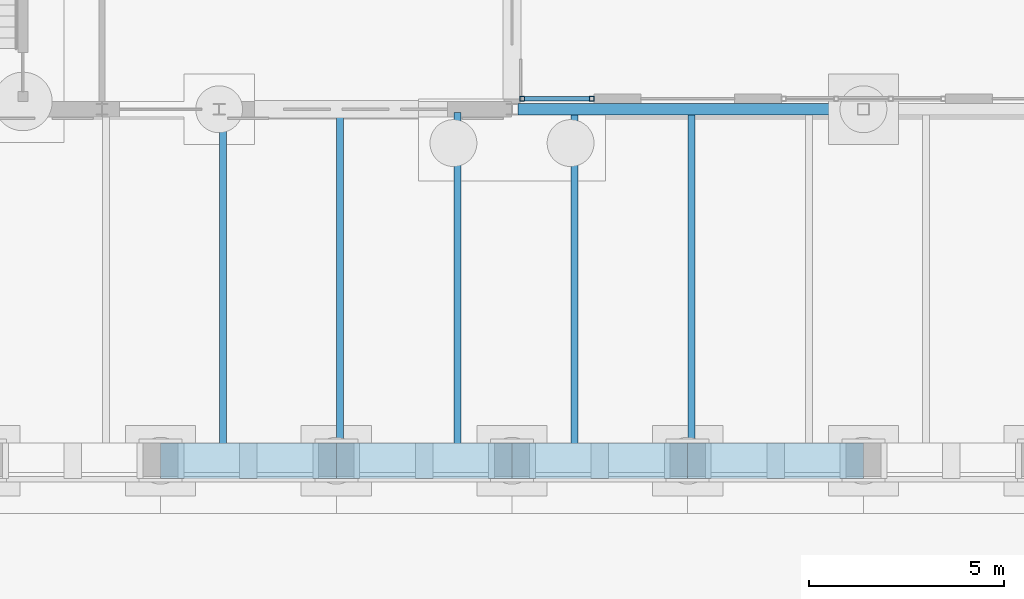
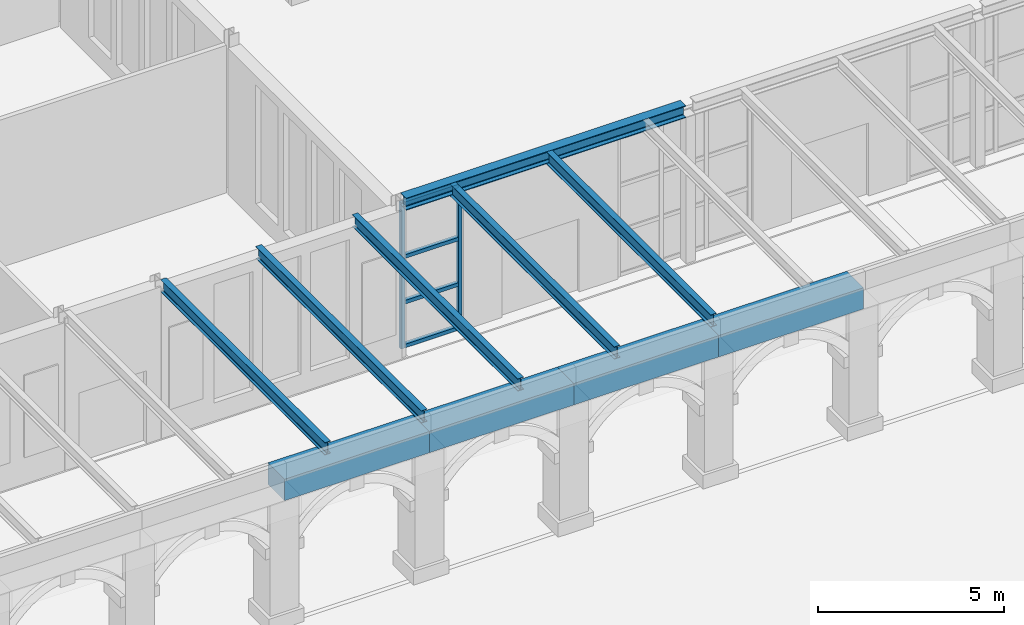
# One storey, part 41 of 168: 10 beams, 6 members, 1 element without a shape of its own.
"""IFC4 building model written with IfcOpenShell, lengths in metres."""

from ifc_helpers import new_model, si_unit, direction, frame, origin, origin_2d, place, context, subcontext, project, spatial, rectangle, hollow_rectangle, i_section, extrude, material, material_profile, profile_set, type_object, element, aggregate, save


model = new_model("IFC4")

# Units and contexts
model_context = context("Model", 3, precision=1e-05, world=origin(), true_north=direction((0.0, 1.0)))
body_context = subcontext(model_context, "Body", "Model", "MODEL_VIEW")
ifc_project = project(units=[si_unit("LENGTHUNIT", "METRE"), si_unit("AREAUNIT", "SQUARE_METRE"), si_unit("VOLUMEUNIT", "CUBIC_METRE"), si_unit("PLANEANGLEUNIT", "RADIAN"), si_unit("MASSUNIT", "GRAM", prefix="KILO")], contexts=[model_context])

# Site, building, storey
site_placement = place(None, origin())
site = spatial("IfcSite", under=ifc_project, at=site_placement, CompositionType="ELEMENT")
building_placement = place(site_placement, origin())
building = spatial("IfcBuilding", under=site, at=building_placement, Name="Golden Quay Civic Hall", CompositionType="ELEMENT")
storey_placement = place(building_placement, origin())
storey = spatial("IfcBuildingStorey", under=building, at=storey_placement, Name="L00", CompositionType="ELEMENT", Elevation=0.0)

# Beams
ifc_material_1 = material(Name="Concrete C40/50", Category="concrete")
ifc_material_profile_1 = material_profile(ifc_material_1, rectangle(XDim=0.89990234375, YDim=0.699951171875, at=origin_2d()), Name="RC 900x700")
ifc_profile_set_1 = profile_set([ifc_material_profile_1], Name="Concrete C40/50")
beam_type_1 = type_object("IfcBeamType", Name="Concrete spandrel beam RC 900x700", PredefinedType="SPANDREL", material=ifc_profile_set_1)
for number, where, z_axis, x_axis, name in (
    (1, (63.0, -9.0, 4.449951171875), (1.0, 0.0, 0.0), (0.0, 1.0, 0.0), "Spandrel beam outer bay 11"),
    (2, (67.5, -9.0, 4.449951171875), (1.0, 0.0, 0.0), (0.0, 1.0, 0.0), "Spandrel beam outer bay 12"),
    (3, (72.0, -9.0, 4.449951171875), (1.0, 0.0, 0.0), (0.0, 1.0, 0.0), "Spandrel beam outer bay 13"),
    (4, (76.5, -9.0, 4.449951171875), (1.0, 0.0, 0.0), (0.0, 1.0, 0.0), "Spandrel beam outer bay 14"),
):
    element("IfcBeam", number, at=place(storey_placement, frame(where, z_axis=z_axis, x_axis=x_axis)), inside=storey, type_object=beam_type_1, Name=name, PredefinedType="SPANDREL", context=body_context, shape_type="SweptSolid", body=[
        extrude(rectangle(XDim=0.89990234375, YDim=0.699951171875, at=origin_2d()), origin(), (0.0, 0.0, 1.0), 4.5),
    ])
ifc_material_2 = material(Name="Steel S355", Category="steel")
ifc_material_profile_2 = material_profile(ifc_material_2, i_section(OverallWidth=0.300048828125, OverallDepth=0.39990234375, WebThickness=0.013427734375, FlangeThickness=0.02392578125, FilletRadius=0.027099609375, at=origin_2d()), Name="HEB 400")
ifc_profile_set_2 = profile_set([ifc_material_profile_2], Name="Steel S355")
beam_type_2 = type_object("IfcBeamType", Name="Steel girder HEB 400", PredefinedType="BEAM", material=ifc_profile_set_2)
beam_1_placement = place(storey_placement, frame((72.14990234375, 0.0, 5.0), z_axis=(1.0, 0.0, 0.0), x_axis=(0.0, 1.0, 0.0)))
element("IfcBeam", 5, at=beam_1_placement, inside=storey, type_object=beam_type_2, Name="Entrance girder 1", PredefinedType="BEAM", context=body_context, shape_type="SweptSolid", body=[
    extrude(i_section(OverallWidth=0.300048828125, OverallDepth=0.39990234375, WebThickness=0.013427734375, FlangeThickness=0.02392578125, FilletRadius=0.027099609375, at=origin_2d()), origin(), (0.0, 0.0, 1.0), 8.7001953125),
])

# Curtain wall, members
ifc_material_3 = material(Name="Glass and aluminium", Category="aluminium")
curtain_wall_type = type_object("IfcCurtainWallType", Name="Glazed curtain wall 1500 module", PredefinedType="NOTDEFINED", material=ifc_material_3)
curtain_wall_placement = place(storey_placement, origin())
curtain_wall = element("IfcCurtainWall", 6, at=curtain_wall_placement, inside=storey, type_object=curtain_wall_type, Name="CW1 curtain wall", PredefinedType="NOTDEFINED")
ifc_material_4 = material(Name="Steel S355", Category="steel")
ifc_material_profile_3 = material_profile(ifc_material_4, hollow_rectangle(XDim=0.1201171875, YDim=0.1201171875, WallThickness=0.008056640625, at=origin_2d()), Name="SHS 120x120x8")
ifc_profile_set_3 = profile_set([ifc_material_profile_3], Name="Steel S355")
member_type_1 = type_object("IfcMemberType", Name="Steel mullion SHS 120x120x8", PredefinedType="MULLION", material=ifc_profile_set_3)
member_1_placement = place(storey_placement, frame((72.260009765625, 0.27001953125, 0.0), z_axis=(0.0, 0.0, 1.0), x_axis=(0.0, 1.0, 0.0)))
member_1 = element("IfcMember", 7, at=member_1_placement, type_object=member_type_1, Name="CW1 mullion 1", PredefinedType="MULLION", context=body_context, shape_type="SweptSolid", body=[
    extrude(hollow_rectangle(XDim=0.1201171875, YDim=0.1201171875, WallThickness=0.008056640625, at=origin_2d()), origin(), (0.0, 0.0, 1.0), 4.800048828125),
])
member_2_placement = place(storey_placement, frame((74.0400390625, 0.27001953125, 0.0), z_axis=(0.0, 0.0, 1.0), x_axis=(0.0, 1.0, 0.0)))
member_2 = element("IfcMember", 8, at=member_2_placement, type_object=member_type_1, Name="CW1 mullion 2", PredefinedType="MULLION", context=body_context, shape_type="SweptSolid", body=[
    extrude(hollow_rectangle(XDim=0.1201171875, YDim=0.1201171875, WallThickness=0.008056640625, at=origin_2d()), origin(), (0.0, 0.0, 1.0), 4.800048828125),
])

# Beams
ifc_material_5 = material(Name="Steel S355", Category="steel")
ifc_material_profile_4 = material_profile(ifc_material_5, i_section(OverallWidth=0.179931640625, OverallDepth=0.39990234375, WebThickness=0.008544921875, FlangeThickness=0.013427734375, FilletRadius=0.02099609375, at=origin_2d()), Name="IPE 400")
ifc_profile_set_4 = profile_set([ifc_material_profile_4], Name="Steel S355")
beam_type_3 = type_object("IfcBeamType", Name="Steel terrace beam IPE 400", PredefinedType="JOIST", material=ifc_profile_set_4)
beam_2_placement = place(storey_placement, frame((64.60009765625, -9.0, 5.0), z_axis=(0.0, 1.0, 0.0), x_axis=(-1.0, 0.0, 0.0)))
element("IfcBeam", 9, at=beam_2_placement, inside=storey, type_object=beam_type_3, Name="Terrace beam 15", PredefinedType="JOIST", context=body_context, shape_type="SweptSolid", body=[
    extrude(i_section(OverallWidth=0.179931640625, OverallDepth=0.39990234375, WebThickness=0.008544921875, FlangeThickness=0.013427734375, FilletRadius=0.02099609375, at=origin_2d()), origin(), (0.0, 0.0, 1.0), 8.85009765625),
])
for number, where, z_axis, x_axis, name in (
    (10, (67.60009765625, -9.0, 5.0), (0.0, 1.0, 0.0), (-1.0, 0.0, 0.0), "Terrace beam 16"),
    (11, (70.60009765625, -9.0, 5.0), (0.0, 1.0, 0.0), (-1.0, 0.0, 0.0), "Terrace beam 17"),
):
    element("IfcBeam", number, at=place(storey_placement, frame(where, z_axis=z_axis, x_axis=x_axis)), inside=storey, type_object=beam_type_3, Name=name, PredefinedType="JOIST", context=body_context, shape_type="SweptSolid", body=[
        extrude(i_section(OverallWidth=0.179931640625, OverallDepth=0.39990234375, WebThickness=0.008544921875, FlangeThickness=0.013427734375, FilletRadius=0.02099609375, at=origin_2d()), origin(), (0.0, 0.0, 1.0), 8.919921875),
    ])
for number, where, z_axis, x_axis, name in (
    (12, (73.60009765625, -9.0, 5.0), (0.0, 1.0, 0.0), (-1.0, 0.0, 0.0), "Terrace beam 18"),
    (13, (76.60009765625, -9.0, 5.0), (0.0, 1.0, 0.0), (-1.0, 0.0, 0.0), "Terrace beam 19"),
):
    element("IfcBeam", number, at=place(storey_placement, frame(where, z_axis=z_axis, x_axis=x_axis)), inside=storey, type_object=beam_type_3, Name=name, PredefinedType="JOIST", context=body_context, shape_type="SweptSolid", body=[
        extrude(i_section(OverallWidth=0.179931640625, OverallDepth=0.39990234375, WebThickness=0.008544921875, FlangeThickness=0.013427734375, FilletRadius=0.02099609375, at=origin_2d()), origin(), (0.0, 0.0, 1.0), 8.85009765625),
    ])

# Member
ifc_material_6 = material(Name="Steel S355", Category="steel")
ifc_material_profile_5 = material_profile(ifc_material_6, hollow_rectangle(XDim=0.1201171875, YDim=0.1201171875, WallThickness=0.008056640625, at=origin_2d()), Name="SHS 120x120x8")
ifc_profile_set_5 = profile_set([ifc_material_profile_5], Name="Steel S355")
member_type_2 = type_object("IfcMemberType", Name="Steel transom SHS 120x120x8", PredefinedType="USERDEFINED", material=ifc_profile_set_5)
member_3_placement = place(storey_placement, frame((72.320068359375, 0.27001953125, 0.06005859375), z_axis=(1.0, 0.0, 0.0), x_axis=(0.0, 1.0, 0.0)))
member_3 = element("IfcMember", 14, at=member_3_placement, type_object=member_type_2, Name="CW1 transom 1.1", ObjectType="TRANSOM", PredefinedType="USERDEFINED", context=body_context, shape_type="SweptSolid", body=[
    extrude(hollow_rectangle(XDim=0.1201171875, YDim=0.1201171875, WallThickness=0.008056640625, at=origin_2d()), origin(), (0.0, 0.0, 1.0), 1.659912109375),
])

member_4_placement = place(storey_placement, frame((72.320068359375, 0.27001953125, 1.5), z_axis=(1.0, 0.0, 0.0), x_axis=(0.0, 1.0, 0.0)))
member_4 = element("IfcMember", 15, at=member_4_placement, type_object=member_type_2, Name="CW1 transom 1.2", ObjectType="TRANSOM", PredefinedType="USERDEFINED", context=body_context, shape_type="SweptSolid", body=[
    extrude(hollow_rectangle(XDim=0.1201171875, YDim=0.1201171875, WallThickness=0.008056640625, at=origin_2d()), origin(), (0.0, 0.0, 1.0), 1.659912109375),
])

member_5_placement = place(storey_placement, frame((72.320068359375, 0.27001953125, 3.0), z_axis=(1.0, 0.0, 0.0), x_axis=(0.0, 1.0, 0.0)))
member_5 = element("IfcMember", 16, at=member_5_placement, type_object=member_type_2, Name="CW1 transom 1.3", ObjectType="TRANSOM", PredefinedType="USERDEFINED", context=body_context, shape_type="SweptSolid", body=[
    extrude(hollow_rectangle(XDim=0.1201171875, YDim=0.1201171875, WallThickness=0.008056640625, at=origin_2d()), origin(), (0.0, 0.0, 1.0), 1.659912109375),
])

member_6_placement = place(storey_placement, frame((72.320068359375, 0.27001953125, 4.739990234375), z_axis=(1.0, 0.0, 0.0), x_axis=(0.0, 1.0, 0.0)))
member_6 = element("IfcMember", 17, at=member_6_placement, type_object=member_type_2, Name="CW1 transom 1.4", ObjectType="TRANSOM", PredefinedType="USERDEFINED", context=body_context, shape_type="SweptSolid", body=[
    extrude(hollow_rectangle(XDim=0.1201171875, YDim=0.1201171875, WallThickness=0.008056640625, at=origin_2d()), origin(), (0.0, 0.0, 1.0), 1.659912109375),
])

aggregate(curtain_wall, [member_1, member_2, member_3, member_4, member_5, member_6])

save(model, "model.ifc")
